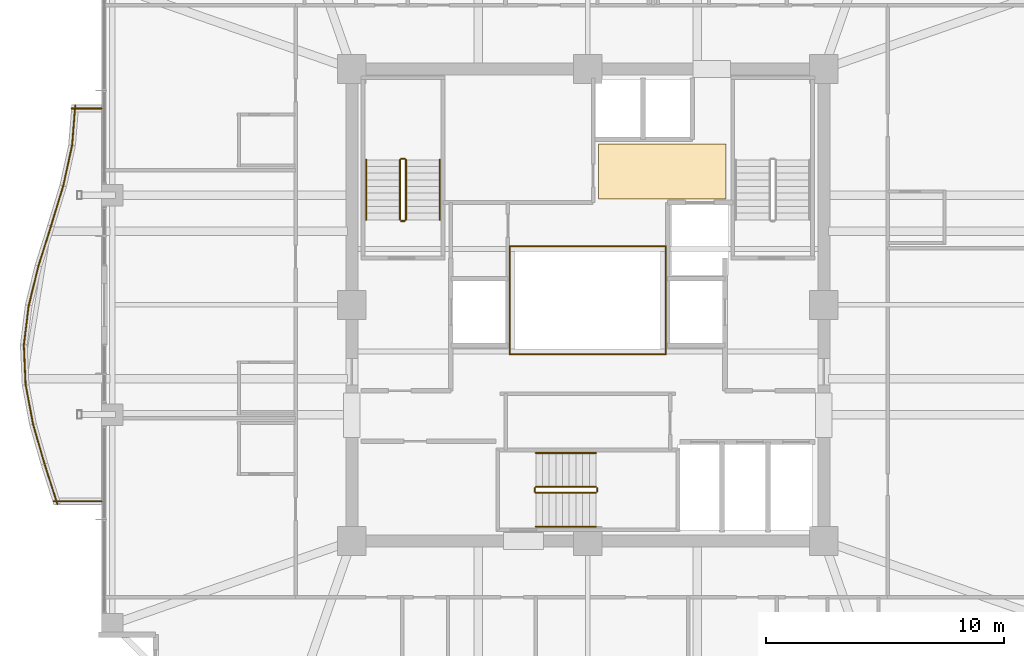
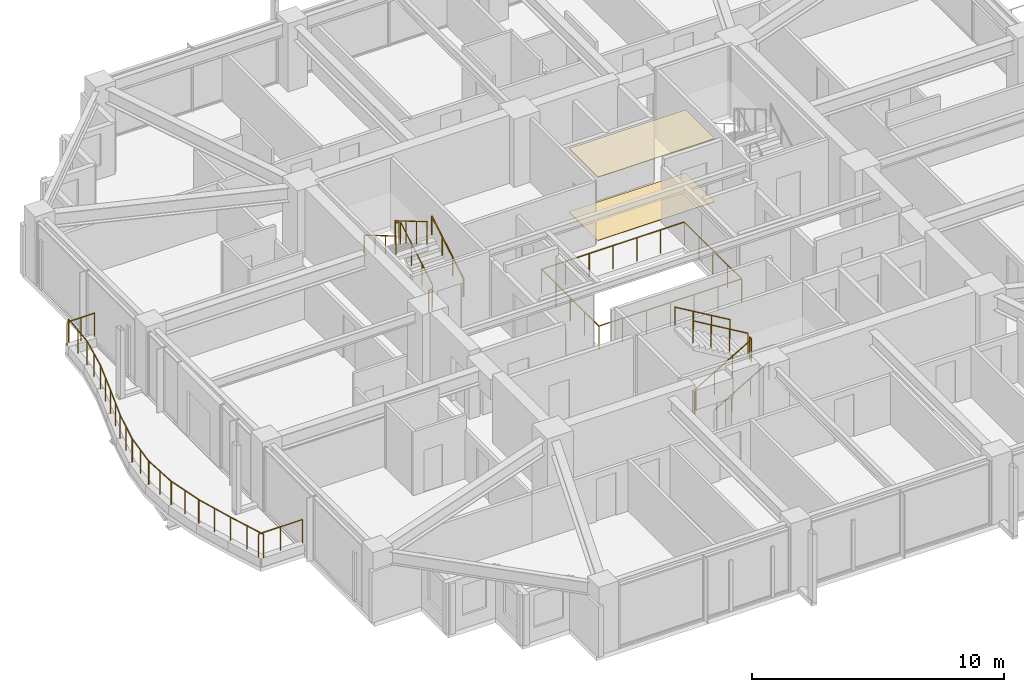
# One storey, part 34 of 35: 28 railings, 2 coverings.
"""IFC4 building model written with IfcOpenShell, lengths in metres."""

from ifc_helpers import new_model, si_unit, direction, frame, origin, origin_2d, place, context, subcontext, project, spatial, polyline, circle, outline, extrude, material, layer, layer_set, type_object, element, save


model = new_model("IFC4")

# Units and contexts
model_context = context("Model", 3, precision=1e-05, world=origin(), true_north=direction((0.0, 1.0)))
body_context = subcontext(model_context, "Body", "Model", "MODEL_VIEW")
ifc_project = project(units=[si_unit("LENGTHUNIT", "METRE"), si_unit("AREAUNIT", "SQUARE_METRE"), si_unit("VOLUMEUNIT", "CUBIC_METRE"), si_unit("PLANEANGLEUNIT", "RADIAN"), si_unit("MASSUNIT", "GRAM", prefix="KILO")], contexts=[model_context])

# Site, building, storey
site_placement = place(None, origin())
site = spatial("IfcSite", under=ifc_project, at=site_placement, CompositionType="ELEMENT")
building_placement = place(site_placement, origin())
building = spatial("IfcBuilding", under=site, at=building_placement, Name="Kolvaren Belvedere", CompositionType="ELEMENT")
storey_placement = place(building_placement, frame((0.0, 0.0, 176.699951171875)))
storey = spatial("IfcBuildingStorey", under=building, at=storey_placement, Name="L51", CompositionType="ELEMENT", Elevation=176.699951171875)

# Coverings
ifc_material_1 = material(Name="Acoustic perforated gypsum board", Category="gypsum")
ifc_layer_1 = layer(ifc_material_1, 0.02490234375)
ifc_layer_set_1 = layer_set([ifc_layer_1], Name="Acoustic perforated gypsum board")
covering_type_1 = type_object("IfcCoveringType", Name="COV-CEIL-GYP", PredefinedType="CEILING", material=ifc_layer_set_1)
covering_1_placement = place(storey_placement, frame((0.0, 0.0, 3.054931640625)))
element("IfcCovering", 1, at=covering_1_placement, inside=storey, type_object=covering_type_1, Name="L51 Lift Lobby Acoustic Baffle Ceiling", PredefinedType="CEILING", context=body_context, shape_type="SweptSolid", body=[
    extrude(outline(polyline([(0.449951171875, 4.449951171875), (5.800048828125, 4.449951171875), (5.800048828125, 6.75), (0.449951171875, 6.75), (0.449951171875, 4.449951171875)])), origin(), (0.0, 0.0, 1.0), 0.025146484375),
])
ifc_material_2 = material(Name="Engineered Pacific white oak", Category="timber")
ifc_layer_2 = layer(ifc_material_2, 0.02001953125)
ifc_layer_set_2 = layer_set([ifc_layer_2], Name="Engineered Pacific white oak")
covering_type_2 = type_object("IfcCoveringType", Name="COV-FLR-OAK", PredefinedType="FLOORING", material=ifc_layer_set_2)
covering_2_placement = place(storey_placement, origin())
element("IfcCovering", 2, at=covering_2_placement, inside=storey, type_object=covering_type_2, Name="L51 Lift Lobby Finish Flooring", PredefinedType="FLOORING", context=body_context, shape_type="SweptSolid", body=[
    extrude(outline(polyline([(0.449951171875, 4.449951171875), (5.800048828125, 4.449951171875), (5.800048828125, 6.75), (0.449951171875, 6.75), (0.449951171875, 4.449951171875)])), origin(), (0.0, 0.0, 1.0), 0.02001953125),
])

# Railings
ifc_material_3 = material(Name="Laminated glass & stainless-steel cap rail", Category="steel")
railing_type_1 = type_object("IfcRailingType", Name="RL-ATR-1150", PredefinedType="BALUSTRADE", material=ifc_material_3)
for number, where, name in (
    (3, (-3.27001953125, 2.469970703125, 0.0), "L51 Atrium North Glass Balustrade"),
    (4, (-3.27001953125, -2.070068359375, 0.0), "L51 Atrium South Glass Balustrade"),
):
    element("IfcRailing", number, at=place(storey_placement, frame(where)), inside=storey, type_object=railing_type_1, Name=name, PredefinedType="BALUSTRADE", context=body_context, shape_type="SweptSolid", body=[
        extrude(circle(Radius=0.02392578125, at=origin_2d()), frame((0.0, 0.0, 1.1259765625), z_axis=(1.0, 0.0, 0.0), x_axis=(0.0, 1.0, 0.0)), (0.0, 0.0, 1.0), 6.5400390625),
        extrude(circle(Radius=0.02099609375, at=origin_2d()), origin(), (0.0, 0.0, 1.0), 1.101806640625),
        extrude(circle(Radius=0.02099609375, at=origin_2d()), frame((1.090087890625, 0.0, 0.0)), (0.0, 0.0, 1.0), 1.101806640625),
        extrude(circle(Radius=0.02099609375, at=origin_2d()), frame((2.179931640625, 0.0, 0.0)), (0.0, 0.0, 1.0), 1.101806640625),
        extrude(circle(Radius=0.02099609375, at=origin_2d()), frame((3.27001953125, 0.0, 0.0)), (0.0, 0.0, 1.0), 1.101806640625),
        extrude(circle(Radius=0.02099609375, at=origin_2d()), frame((4.360107421875, 0.0, 0.0)), (0.0, 0.0, 1.0), 1.101806640625),
        extrude(circle(Radius=0.02099609375, at=origin_2d()), frame((5.449951171875, 0.0, 0.0)), (0.0, 0.0, 1.0), 1.101806640625),
        extrude(circle(Radius=0.02099609375, at=origin_2d()), frame((6.5400390625, 0.0, 0.0)), (0.0, 0.0, 1.0), 1.101806640625),
    ])
for number, where, name in (
    (5, (-3.27001953125, -2.070068359375, 0.0), "L51 Atrium West Glass Balustrade"),
    (6, (3.27001953125, -2.070068359375, 0.0), "L51 Atrium East Glass Balustrade"),
):
    element("IfcRailing", number, at=place(storey_placement, frame(where)), inside=storey, type_object=railing_type_1, Name=name, PredefinedType="BALUSTRADE", context=body_context, shape_type="SweptSolid", body=[
        extrude(circle(Radius=0.02392578125, at=origin_2d()), frame((0.0, 0.0, 1.1259765625), z_axis=(0.0, 1.0, 0.0), x_axis=(-1.0, 0.0, 0.0)), (0.0, 0.0, 1.0), 4.5400390625),
        extrude(circle(Radius=0.02099609375, at=origin_2d()), origin(), (0.0, 0.0, 1.0), 1.101806640625),
        extrude(circle(Radius=0.02099609375, at=origin_2d()), frame((0.0, 1.135009765625, 0.0)), (0.0, 0.0, 1.0), 1.101806640625),
        extrude(circle(Radius=0.02099609375, at=origin_2d()), frame((0.0, 2.27001953125, 0.0)), (0.0, 0.0, 1.0), 1.101806640625),
        extrude(circle(Radius=0.02099609375, at=origin_2d()), frame((0.0, 3.405029296875, 0.0)), (0.0, 0.0, 1.0), 1.101806640625),
        extrude(circle(Radius=0.02099609375, at=origin_2d()), frame((0.0, 4.5400390625, 0.0)), (0.0, 0.0, 1.0), 1.101806640625),
    ])
ifc_material_4 = material(Name="Anodised pale-metal aluminium & laminated glass guard", Category="aluminium")
railing_type_2 = type_object("IfcRailingType", Name="RL-GUARD-1150", PredefinedType="GUARDRAIL", material=ifc_material_4)
railing_1_placement = place(storey_placement, frame((-21.50048828125, 8.38720703125, 0.380126953125)))
element("IfcRailing", 7, at=railing_1_placement, inside=storey, type_object=railing_type_2, Name="L51 Exterior Deck Safety Guard BAL-W-1", PredefinedType="GUARDRAIL", context=body_context, shape_type="SweptSolid", body=[
    extrude(circle(Radius=0.02392578125, at=origin_2d()), frame((0.0, 0.0, 1.1259765625), z_axis=(-0.079244268248, -0.99685522818, 0.0), x_axis=(0.99685522818, -0.079244268248, 0.0)), (0.0, 0.0, 1.0), 1.685302734375),
    extrude(circle(Radius=0.02099609375, at=origin_2d()), origin(), (0.0, 0.0, 1.0), 1.101806640625),
    extrude(circle(Radius=0.02099609375, at=origin_2d()), frame((-0.06689453125, -0.83984375, 0.0)), (0.0, 0.0, 1.0), 1.101806640625),
    extrude(circle(Radius=0.02099609375, at=origin_2d()), frame((-0.133544921875, -1.679931640625, 0.0)), (0.0, 0.0, 1.0), 1.101806640625),
])
railing_2_placement = place(storey_placement, frame((-21.63720703125, 6.685791015625, 0.380126953125)))
element("IfcRailing", 8, at=railing_2_placement, inside=storey, type_object=railing_type_2, Name="L51 Exterior Deck Safety Guard BAL-W-2", PredefinedType="GUARDRAIL", context=body_context, shape_type="SweptSolid", body=[
    extrude(circle(Radius=0.02392578125, at=origin_2d()), frame((0.0, 0.0, 1.1259765625), z_axis=(-0.213802724545, -0.976876857632, 0.0), x_axis=(0.976876857632, -0.213802724545, 0.0)), (0.0, 0.0, 1.0), 1.7197265625),
    extrude(circle(Radius=0.02099609375, at=origin_2d()), origin(), (0.0, 0.0, 1.0), 1.101806640625),
    extrude(circle(Radius=0.02099609375, at=origin_2d()), frame((-0.183837890625, -0.83984375, 0.0)), (0.0, 0.0, 1.0), 1.101806640625),
    extrude(circle(Radius=0.02099609375, at=origin_2d()), frame((-0.36767578125, -1.679931640625, 0.0)), (0.0, 0.0, 1.0), 1.101806640625),
])
railing_3_placement = place(storey_placement, frame((-22.00830078125, 4.993408203125, 0.380126953125)))
element("IfcRailing", 9, at=railing_3_placement, inside=storey, type_object=railing_type_2, Name="L51 Exterior Deck Safety Guard BAL-W-3", PredefinedType="GUARDRAIL", context=body_context, shape_type="SweptSolid", body=[
    extrude(circle(Radius=0.02392578125, at=origin_2d()), frame((0.0, 0.0, 1.1259765625), z_axis=(-0.290879426191, -0.956759718748, 0.0), x_axis=(0.956759718748, -0.290879426191, 0.0)), (0.0, 0.0, 1.0), 1.755859375),
    extrude(circle(Radius=0.02099609375, at=origin_2d()), origin(), (0.0, 0.0, 1.0), 1.101806640625),
    extrude(circle(Radius=0.02099609375, at=origin_2d()), frame((-0.25537109375, -0.83984375, 0.0)), (0.0, 0.0, 1.0), 1.101806640625),
    extrude(circle(Radius=0.02099609375, at=origin_2d()), frame((-0.5107421875, -1.679931640625, 0.0)), (0.0, 0.0, 1.0), 1.101806640625),
])
railing_4_placement = place(storey_placement, frame((-22.51953125, 3.31201171875, 0.380126953125)))
element("IfcRailing", 10, at=railing_4_placement, inside=storey, type_object=railing_type_2, Name="L51 Exterior Deck Safety Guard BAL-W-4", PredefinedType="GUARDRAIL", context=body_context, shape_type="SweptSolid", body=[
    extrude(circle(Radius=0.02392578125, at=origin_2d()), frame((0.0, 0.0, 1.1259765625), z_axis=(-0.299624691176, -0.954057149461, 0.0), x_axis=(0.954057149461, -0.299624691176, 0.0)), (0.0, 0.0, 1.0), 1.7607421875),
    extrude(circle(Radius=0.02099609375, at=origin_2d()), origin(), (0.0, 0.0, 1.0), 1.101806640625),
    extrude(circle(Radius=0.02099609375, at=origin_2d()), frame((-0.263671875, -0.83984375, 0.0)), (0.0, 0.0, 1.0), 1.101806640625),
    extrude(circle(Radius=0.02099609375, at=origin_2d()), frame((-0.527587890625, -1.679931640625, 0.0)), (0.0, 0.0, 1.0), 1.101806640625),
])
railing_5_placement = place(storey_placement, frame((-23.04443359375, 1.6416015625, 0.380126953125)))
element("IfcRailing", 11, at=railing_5_placement, inside=storey, type_object=railing_type_2, Name="L51 Exterior Deck Safety Guard BAL-W-5", PredefinedType="GUARDRAIL", context=body_context, shape_type="SweptSolid", body=[
    extrude(circle(Radius=0.02392578125, at=origin_2d()), frame((0.0, 0.0, 1.1259765625), z_axis=(-0.239180748277, -0.970975061293, 0.0), x_axis=(0.970975061293, -0.239180748277, 0.0)), (0.0, 0.0, 1.0), 1.730224609375),
    extrude(circle(Radius=0.02099609375, at=origin_2d()), origin(), (0.0, 0.0, 1.0), 1.101806640625),
    extrude(circle(Radius=0.02099609375, at=origin_2d()), frame((-0.20703125, -0.83984375, 0.0)), (0.0, 0.0, 1.0), 1.101806640625),
    extrude(circle(Radius=0.02099609375, at=origin_2d()), frame((-0.413818359375, -1.679931640625, 0.0)), (0.0, 0.0, 1.0), 1.101806640625),
])
railing_6_placement = place(storey_placement, frame((-23.454833984375, -0.01953125, 0.380126953125)))
element("IfcRailing", 12, at=railing_6_placement, inside=storey, type_object=railing_type_2, Name="L51 Exterior Deck Safety Guard BAL-W-6", PredefinedType="GUARDRAIL", context=body_context, shape_type="SweptSolid", body=[
    extrude(circle(Radius=0.02392578125, at=origin_2d()), frame((0.0, 0.0, 1.1259765625), z_axis=(-0.121886315522, -0.99254406758, 0.0), x_axis=(0.99254406758, -0.121886315522, 0.0)), (0.0, 0.0, 1.0), 1.692626953125),
    extrude(circle(Radius=0.02099609375, at=origin_2d()), origin(), (0.0, 0.0, 1.0), 1.101806640625),
    extrude(circle(Radius=0.02099609375, at=origin_2d()), frame((-0.10302734375, -0.83984375, 0.0)), (0.0, 0.0, 1.0), 1.101806640625),
    extrude(circle(Radius=0.02099609375, at=origin_2d()), frame((-0.206298828125, -1.679931640625, 0.0)), (0.0, 0.0, 1.0), 1.101806640625),
])
railing_7_placement = place(storey_placement, frame((-23.66015625, -1.6728515625, 0.380126953125)))
element("IfcRailing", 13, at=railing_7_placement, inside=storey, type_object=railing_type_2, Name="L51 Exterior Deck Safety Guard BAL-W-7", PredefinedType="GUARDRAIL", context=body_context, shape_type="SweptSolid", body=[
    extrude(circle(Radius=0.02392578125, at=origin_2d()), frame((0.0, 0.0, 1.1259765625), z_axis=(0.045005941428, -0.998986719249, 0.0), x_axis=(0.998986719249, 0.045005941428, 0.0)), (0.0, 0.0, 1.0), 1.681640625),
    extrude(circle(Radius=0.02099609375, at=origin_2d()), origin(), (0.0, 0.0, 1.0), 1.101806640625),
    extrude(circle(Radius=0.02099609375, at=origin_2d()), frame((0.037841796875, -0.83984375, 0.0)), (0.0, 0.0, 1.0), 1.101806640625),
    extrude(circle(Radius=0.02099609375, at=origin_2d()), frame((0.07568359375, -1.679931640625, 0.0)), (0.0, 0.0, 1.0), 1.101806640625),
])
railing_8_placement = place(storey_placement, frame((-23.5869140625, -3.330322265625, 0.380126953125)))
element("IfcRailing", 14, at=railing_8_placement, inside=storey, type_object=railing_type_2, Name="L51 Exterior Deck Safety Guard BAL-W-8", PredefinedType="GUARDRAIL", context=body_context, shape_type="SweptSolid", body=[
    extrude(circle(Radius=0.02392578125, at=origin_2d()), frame((0.0, 0.0, 1.1259765625), z_axis=(0.184650661912, -0.982804219087, 0.0), x_axis=(0.982804219087, 0.184650661912, 0.0)), (0.0, 0.0, 1.0), 1.70947265625),
    extrude(circle(Radius=0.02099609375, at=origin_2d()), origin(), (0.0, 0.0, 1.0), 1.101806640625),
    extrude(circle(Radius=0.02099609375, at=origin_2d()), frame((0.15771484375, -0.840087890625, 0.0)), (0.0, 0.0, 1.0), 1.101806640625),
    extrude(circle(Radius=0.02099609375, at=origin_2d()), frame((0.315673828125, -1.68017578125, 0.0)), (0.0, 0.0, 1.0), 1.101806640625),
])
railing_9_placement = place(storey_placement, frame((-23.274658203125, -4.99560546875, 0.380126953125)))
element("IfcRailing", 15, at=railing_9_placement, inside=storey, type_object=railing_type_2, Name="L51 Exterior Deck Safety Guard BAL-W-9", PredefinedType="GUARDRAIL", context=body_context, shape_type="SweptSolid", body=[
    extrude(circle(Radius=0.02392578125, at=origin_2d()), frame((0.0, 0.0, 1.1259765625), z_axis=(0.277817391164, -0.960633903819, 0.0), x_axis=(0.960633903819, 0.277817391164, 0.0)), (0.0, 0.0, 1.0), 1.748779296875),
    extrude(circle(Radius=0.02099609375, at=origin_2d()), origin(), (0.0, 0.0, 1.0), 1.101806640625),
    extrude(circle(Radius=0.02099609375, at=origin_2d()), frame((0.242919921875, -0.83984375, 0.0)), (0.0, 0.0, 1.0), 1.101806640625),
    extrude(circle(Radius=0.02099609375, at=origin_2d()), frame((0.48583984375, -1.679931640625, 0.0)), (0.0, 0.0, 1.0), 1.101806640625),
])
railing_10_placement = place(storey_placement, frame((-22.7900390625, -6.67138671875, 0.380126953125)))
element("IfcRailing", 16, at=railing_10_placement, inside=storey, type_object=railing_type_2, Name="L51 Exterior Deck Safety Guard BAL-W-10", PredefinedType="GUARDRAIL", context=body_context, shape_type="SweptSolid", body=[
    extrude(circle(Radius=0.02392578125, at=origin_2d()), frame((0.0, 0.0, 1.1259765625), z_axis=(0.304032153573, -0.952661770826, 0.0), x_axis=(0.952661770826, 0.304032153573, 0.0)), (0.0, 0.0, 1.0), 1.763427734375),
    extrude(circle(Radius=0.02099609375, at=origin_2d()), origin(), (0.0, 0.0, 1.0), 1.101806640625),
    extrude(circle(Radius=0.02099609375, at=origin_2d()), frame((0.26806640625, -0.83984375, 0.0)), (0.0, 0.0, 1.0), 1.101806640625),
    extrude(circle(Radius=0.02099609375, at=origin_2d()), frame((0.5361328125, -1.679931640625, 0.0)), (0.0, 0.0, 1.0), 1.101806640625),
])
railing_11_placement = place(storey_placement, frame((-22.40625, -8.239990234375, 0.380126953125)))
element("IfcRailing", 17, at=railing_11_placement, inside=storey, type_object=railing_type_2, Name="L51 Exterior Deck Safety Guard BAL-W-11", PredefinedType="GUARDRAIL", context=body_context, shape_type="SweptSolid", body=[
    extrude(circle(Radius=0.02392578125, at=origin_2d()), frame((0.0, 0.0, 1.1259765625), z_axis=(1.0, 0.0, 0.0), x_axis=(0.0, 1.0, 0.0)), (0.0, 0.0, 1.0), 2.00634765625),
    extrude(circle(Radius=0.02099609375, at=origin_2d()), origin(), (0.0, 0.0, 1.0), 1.101806640625),
    extrude(circle(Radius=0.02099609375, at=origin_2d()), frame((1.003173828125, 0.0, 0.0)), (0.0, 0.0, 1.0), 1.101806640625),
    extrude(circle(Radius=0.02099609375, at=origin_2d()), frame((2.00634765625, 0.0, 0.0)), (0.0, 0.0, 1.0), 1.101806640625),
])
railing_12_placement = place(storey_placement, frame((-20.39990234375, 8.239990234375, 0.380126953125)))
element("IfcRailing", 18, at=railing_12_placement, inside=storey, type_object=railing_type_2, Name="L51 Exterior Deck Safety Guard BAL-W-22", PredefinedType="GUARDRAIL", context=body_context, shape_type="SweptSolid", body=[
    extrude(circle(Radius=0.02392578125, at=origin_2d()), frame((0.0, 0.0, 1.1259765625), z_axis=(-1.0, 0.0, 0.0), x_axis=(0.0, -1.0, 0.0)), (0.0, 0.0, 1.0), 1.260009765625),
    extrude(circle(Radius=0.02099609375, at=origin_2d()), origin(), (0.0, 0.0, 1.0), 1.101806640625),
    extrude(circle(Radius=0.02099609375, at=origin_2d()), frame((-0.6298828125, 0.0, 0.0)), (0.0, 0.0, 1.0), 1.101806640625),
    extrude(circle(Radius=0.02099609375, at=origin_2d()), frame((-1.260009765625, 0.0, 0.0)), (0.0, 0.0, 1.0), 1.101806640625),
])
ifc_material_5 = material(Name="Brushed stainless-steel handrail", Category="steel")
railing_type_3 = type_object("IfcRailingType", Name="RL-HANDRAIL-920", PredefinedType="HANDRAIL", material=ifc_material_5)
railing_13_placement = place(storey_placement, frame((-6.2099609375, 3.570068359375, 0.1650390625)))
element("IfcRailing", 19, at=railing_13_placement, inside=storey, type_object=railing_type_3, Name="L51 ST-1 stair handrail 1", PredefinedType="HANDRAIL", context=body_context, shape_type="SweptSolid", body=[
    extrude(circle(Radius=0.02392578125, at=origin_2d()), frame((0.0, 0.0, 0.8759765625), z_axis=(0.0, 0.86152411907, 0.507716645641), x_axis=(-1.0, 0.0, 0.0)), (0.0, 0.0, 1.0), 2.925048828125),
    extrude(circle(Radius=0.02099609375, at=origin_2d()), origin(), (0.0, 0.0, 1.0), 0.851806640625),
    extrude(circle(Radius=0.02099609375, at=origin_2d()), frame((0.0, 0.840087890625, 0.4951171875)), (0.0, 0.0, 1.0), 0.851806640625),
    extrude(circle(Radius=0.02099609375, at=origin_2d()), frame((0.0, 1.679931640625, 0.989990234375)), (0.0, 0.0, 1.0), 0.851806640625),
    extrude(circle(Radius=0.02099609375, at=origin_2d()), frame((0.0, 2.52001953125, 1.485107421875)), (0.0, 0.0, 1.0), 0.851806640625),
])
railing_14_placement = place(storey_placement, frame((-9.300048828125, 6.090087890625, 1.81494140625)))
element("IfcRailing", 20, at=railing_14_placement, inside=storey, type_object=railing_type_3, Name="L51 ST-1 stair handrail 2", PredefinedType="HANDRAIL", context=body_context, shape_type="SweptSolid", body=[
    extrude(circle(Radius=0.02392578125, at=origin_2d()), frame((0.0, 0.0, 0.8759765625), z_axis=(0.0, -0.86152411907, 0.507716645641), x_axis=(1.0, 0.0, 0.0)), (0.0, 0.0, 1.0), 2.925048828125),
    extrude(circle(Radius=0.02099609375, at=origin_2d()), origin(), (0.0, 0.0, 1.0), 0.851806640625),
    extrude(circle(Radius=0.02099609375, at=origin_2d()), frame((0.0, -0.840087890625, 0.4951171875)), (0.0, 0.0, 1.0), 0.851806640625),
    extrude(circle(Radius=0.02099609375, at=origin_2d()), frame((0.0, -1.679931640625, 0.989990234375)), (0.0, 0.0, 1.0), 0.851806640625),
    extrude(circle(Radius=0.02099609375, at=origin_2d()), frame((0.0, -2.52001953125, 1.485107421875)), (0.0, 0.0, 1.0), 0.851806640625),
])
railing_15_placement = place(storey_placement, frame((-2.179931640625, -9.300048828125, 0.1650390625)))
element("IfcRailing", 21, at=railing_15_placement, inside=storey, type_object=railing_type_3, Name="L51 ST-3 stair handrail 1", PredefinedType="HANDRAIL", context=body_context, shape_type="SweptSolid", body=[
    extrude(circle(Radius=0.02392578125, at=origin_2d()), frame((0.0, 0.0, 0.8759765625), z_axis=(0.86152411907, 0.0, 0.507716645641), x_axis=(0.0, 1.0, 0.0)), (0.0, 0.0, 1.0), 2.925048828125),
    extrude(circle(Radius=0.02099609375, at=origin_2d()), origin(), (0.0, 0.0, 1.0), 0.851806640625),
    extrude(circle(Radius=0.02099609375, at=origin_2d()), frame((0.840087890625, 0.0, 0.4951171875)), (0.0, 0.0, 1.0), 0.851806640625),
    extrude(circle(Radius=0.02099609375, at=origin_2d()), frame((1.679931640625, 0.0, 0.989990234375)), (0.0, 0.0, 1.0), 0.851806640625),
    extrude(circle(Radius=0.02099609375, at=origin_2d()), frame((2.52001953125, 0.0, 1.485107421875)), (0.0, 0.0, 1.0), 0.851806640625),
])
railing_16_placement = place(storey_placement, frame((0.340087890625, -6.2099609375, 1.81494140625)))
element("IfcRailing", 22, at=railing_16_placement, inside=storey, type_object=railing_type_3, Name="L51 ST-3 stair handrail 2", PredefinedType="HANDRAIL", context=body_context, shape_type="SweptSolid", body=[
    extrude(circle(Radius=0.02392578125, at=origin_2d()), frame((0.0, 0.0, 0.8759765625), z_axis=(-0.86152411907, 0.0, 0.507716645641), x_axis=(0.0, -1.0, 0.0)), (0.0, 0.0, 1.0), 2.925048828125),
    extrude(circle(Radius=0.02099609375, at=origin_2d()), origin(), (0.0, 0.0, 1.0), 0.851806640625),
    extrude(circle(Radius=0.02099609375, at=origin_2d()), frame((-0.840087890625, 0.0, 0.4951171875)), (0.0, 0.0, 1.0), 0.851806640625),
    extrude(circle(Radius=0.02099609375, at=origin_2d()), frame((-1.679931640625, 0.0, 0.989990234375)), (0.0, 0.0, 1.0), 0.851806640625),
    extrude(circle(Radius=0.02099609375, at=origin_2d()), frame((-2.52001953125, 0.0, 1.485107421875)), (0.0, 0.0, 1.0), 0.851806640625),
])
ifc_material_6 = material(Name="Painted tubular steel stair guard", Category="steel")
railing_type_4 = type_object("IfcRailingType", Name="RL-STGUARD-1100", PredefinedType="GUARDRAIL", material=ifc_material_6)
railing_17_placement = place(storey_placement, frame((-7.6298828125, 3.570068359375, 0.1650390625)))
element("IfcRailing", 23, at=railing_17_placement, inside=storey, type_object=railing_type_4, Name="L51 ST-1 stair guard 1", PredefinedType="GUARDRAIL", context=body_context, shape_type="SweptSolid", body=[
    extrude(circle(Radius=0.02392578125, at=origin_2d()), frame((0.0, 0.0, 1.076171875), z_axis=(0.0, 0.86152411907, 0.507716645641), x_axis=(-1.0, 0.0, 0.0)), (0.0, 0.0, 1.0), 2.925048828125),
    extrude(circle(Radius=0.02099609375, at=origin_2d()), origin(), (0.0, 0.0, 1.0), 1.052001953125),
    extrude(circle(Radius=0.02099609375, at=origin_2d()), frame((0.0, 0.840087890625, 0.4951171875)), (0.0, 0.0, 1.0), 1.052001953125),
    extrude(circle(Radius=0.02099609375, at=origin_2d()), frame((0.0, 1.679931640625, 0.989990234375)), (0.0, 0.0, 1.0), 1.052001953125),
    extrude(circle(Radius=0.02099609375, at=origin_2d()), frame((0.0, 2.52001953125, 1.485107421875)), (0.0, 0.0, 1.0), 1.052001953125),
])
railing_18_placement = place(storey_placement, frame((-7.679931640625, 6.139892578125, 1.650146484375)))
element("IfcRailing", 24, at=railing_18_placement, inside=storey, type_object=railing_type_4, Name="L51 ST-1 stair guard 2", PredefinedType="GUARDRAIL", context=body_context, shape_type="SweptSolid", body=[
    extrude(circle(Radius=0.02392578125, at=origin_2d()), frame((0.0, 0.0, 1.076171875), z_axis=(-1.0, 0.0, 0.0), x_axis=(0.0, -1.0, 0.0)), (0.0, 0.0, 1.0), 0.150146484375),
    extrude(circle(Radius=0.02099609375, at=origin_2d()), origin(), (0.0, 0.0, 1.0), 1.052001953125),
    extrude(circle(Radius=0.02099609375, at=origin_2d()), frame((-0.150146484375, 0.0, 0.0)), (0.0, 0.0, 1.0), 1.052001953125),
])
railing_19_placement = place(storey_placement, frame((-7.8798828125, 6.090087890625, 1.81494140625)))
element("IfcRailing", 25, at=railing_19_placement, inside=storey, type_object=railing_type_4, Name="L51 ST-1 stair guard 3", PredefinedType="GUARDRAIL", context=body_context, shape_type="SweptSolid", body=[
    extrude(circle(Radius=0.02392578125, at=origin_2d()), frame((0.0, 0.0, 1.076171875), z_axis=(0.0, -0.86152411907, 0.507716645641), x_axis=(1.0, 0.0, 0.0)), (0.0, 0.0, 1.0), 2.925048828125),
    extrude(circle(Radius=0.02099609375, at=origin_2d()), origin(), (0.0, 0.0, 1.0), 1.052001953125),
    extrude(circle(Radius=0.02099609375, at=origin_2d()), frame((0.0, -0.840087890625, 0.4951171875)), (0.0, 0.0, 1.0), 1.052001953125),
    extrude(circle(Radius=0.02099609375, at=origin_2d()), frame((0.0, -1.679931640625, 0.989990234375)), (0.0, 0.0, 1.0), 1.052001953125),
    extrude(circle(Radius=0.02099609375, at=origin_2d()), frame((0.0, -2.52001953125, 1.485107421875)), (0.0, 0.0, 1.0), 1.052001953125),
])
railing_20_placement = place(storey_placement, frame((-7.679931640625, 3.52001953125, 0.0)))
element("IfcRailing", 26, at=railing_20_placement, inside=storey, type_object=railing_type_4, Name="L51 ST-1 stair guard 4", PredefinedType="GUARDRAIL", context=body_context, shape_type="SweptSolid", body=[
    extrude(circle(Radius=0.02392578125, at=origin_2d()), frame((0.0, 0.0, 1.076171875), z_axis=(-1.0, 0.0, 0.0), x_axis=(0.0, -1.0, 0.0)), (0.0, 0.0, 1.0), 0.150146484375),
    extrude(circle(Radius=0.02099609375, at=origin_2d()), origin(), (0.0, 0.0, 1.0), 1.052001953125),
    extrude(circle(Radius=0.02099609375, at=origin_2d()), frame((-0.150146484375, 0.0, 0.0)), (0.0, 0.0, 1.0), 1.052001953125),
])
railing_21_placement = place(storey_placement, frame((-2.179931640625, -7.8798828125, 0.1650390625)))
element("IfcRailing", 27, at=railing_21_placement, inside=storey, type_object=railing_type_4, Name="L51 ST-3 stair guard 1", PredefinedType="GUARDRAIL", context=body_context, shape_type="SweptSolid", body=[
    extrude(circle(Radius=0.02392578125, at=origin_2d()), frame((0.0, 0.0, 1.076171875), z_axis=(0.86152411907, 0.0, 0.507716645641), x_axis=(0.0, 1.0, 0.0)), (0.0, 0.0, 1.0), 2.925048828125),
    extrude(circle(Radius=0.02099609375, at=origin_2d()), origin(), (0.0, 0.0, 1.0), 1.052001953125),
    extrude(circle(Radius=0.02099609375, at=origin_2d()), frame((0.840087890625, 0.0, 0.4951171875)), (0.0, 0.0, 1.0), 1.052001953125),
    extrude(circle(Radius=0.02099609375, at=origin_2d()), frame((1.679931640625, 0.0, 0.989990234375)), (0.0, 0.0, 1.0), 1.052001953125),
    extrude(circle(Radius=0.02099609375, at=origin_2d()), frame((2.52001953125, 0.0, 1.485107421875)), (0.0, 0.0, 1.0), 1.052001953125),
])
railing_22_placement = place(storey_placement, frame((0.389892578125, -7.830078125, 1.650146484375)))
element("IfcRailing", 28, at=railing_22_placement, inside=storey, type_object=railing_type_4, Name="L51 ST-3 stair guard 2", PredefinedType="GUARDRAIL", context=body_context, shape_type="SweptSolid", body=[
    extrude(circle(Radius=0.02392578125, at=origin_2d()), frame((0.0, 0.0, 1.076171875), z_axis=(0.0, 1.0, 0.0), x_axis=(-1.0, 0.0, 0.0)), (0.0, 0.0, 1.0), 0.150146484375),
    extrude(circle(Radius=0.02099609375, at=origin_2d()), origin(), (0.0, 0.0, 1.0), 1.052001953125),
    extrude(circle(Radius=0.02099609375, at=origin_2d()), frame((0.0, 0.150146484375, 0.0)), (0.0, 0.0, 1.0), 1.052001953125),
])
railing_23_placement = place(storey_placement, frame((0.340087890625, -7.6298828125, 1.81494140625)))
element("IfcRailing", 29, at=railing_23_placement, inside=storey, type_object=railing_type_4, Name="L51 ST-3 stair guard 3", PredefinedType="GUARDRAIL", context=body_context, shape_type="SweptSolid", body=[
    extrude(circle(Radius=0.02392578125, at=origin_2d()), frame((0.0, 0.0, 1.076171875), z_axis=(-0.86152411907, 0.0, 0.507716645641), x_axis=(0.0, -1.0, 0.0)), (0.0, 0.0, 1.0), 2.925048828125),
    extrude(circle(Radius=0.02099609375, at=origin_2d()), origin(), (0.0, 0.0, 1.0), 1.052001953125),
    extrude(circle(Radius=0.02099609375, at=origin_2d()), frame((-0.840087890625, 0.0, 0.4951171875)), (0.0, 0.0, 1.0), 1.052001953125),
    extrude(circle(Radius=0.02099609375, at=origin_2d()), frame((-1.679931640625, 0.0, 0.989990234375)), (0.0, 0.0, 1.0), 1.052001953125),
    extrude(circle(Radius=0.02099609375, at=origin_2d()), frame((-2.52001953125, 0.0, 1.485107421875)), (0.0, 0.0, 1.0), 1.052001953125),
])
railing_24_placement = place(storey_placement, frame((-2.22998046875, -7.830078125, 0.0)))
element("IfcRailing", 30, at=railing_24_placement, inside=storey, type_object=railing_type_4, Name="L51 ST-3 stair guard 4", PredefinedType="GUARDRAIL", context=body_context, shape_type="SweptSolid", body=[
    extrude(circle(Radius=0.02392578125, at=origin_2d()), frame((0.0, 0.0, 1.076171875), z_axis=(0.0, 1.0, 0.0), x_axis=(-1.0, 0.0, 0.0)), (0.0, 0.0, 1.0), 0.150146484375),
    extrude(circle(Radius=0.02099609375, at=origin_2d()), origin(), (0.0, 0.0, 1.0), 1.052001953125),
    extrude(circle(Radius=0.02099609375, at=origin_2d()), frame((0.0, 0.150146484375, 0.0)), (0.0, 0.0, 1.0), 1.052001953125),
])

save(model, "model.ifc")
